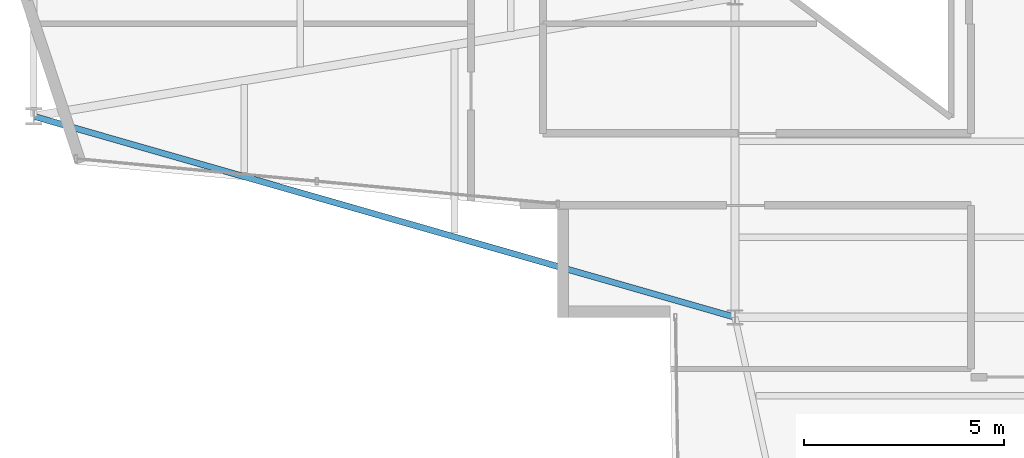
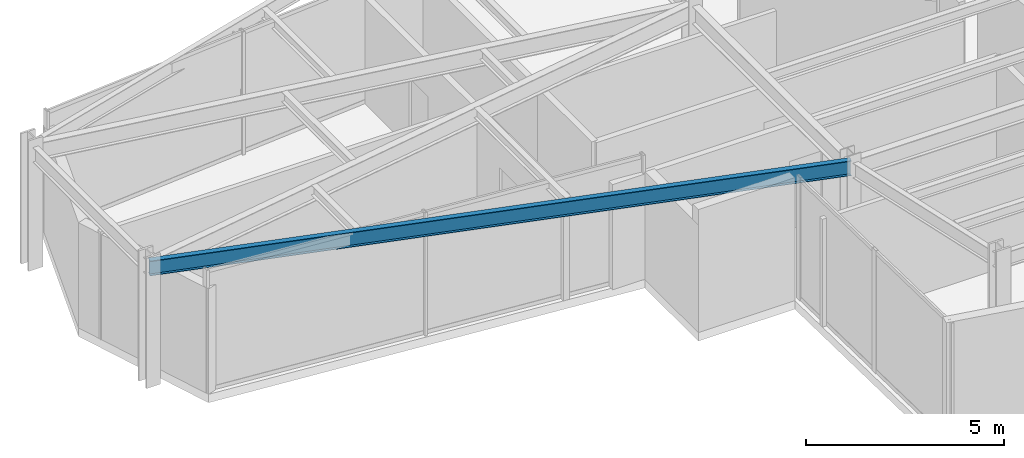
# One storey, part 3 of 22: 1 beam.
"""IFC4 building model written with IfcOpenShell, lengths in metres."""

from ifc_helpers import new_model, si_unit, direction, frame, origin, origin_2d, place, context, subcontext, project, spatial, i_section, extrude, material, material_profile, profile_set, type_object, element, save


model = new_model("IFC4")

# Units and contexts
model_context = context("Model", 3, precision=1e-05, world=origin(), true_north=direction((0.0, 1.0)))
body_context = subcontext(model_context, "Body", "Model", "MODEL_VIEW")
ifc_project = project(units=[si_unit("LENGTHUNIT", "METRE"), si_unit("AREAUNIT", "SQUARE_METRE"), si_unit("VOLUMEUNIT", "CUBIC_METRE"), si_unit("PLANEANGLEUNIT", "RADIAN"), si_unit("MASSUNIT", "GRAM", prefix="KILO")], contexts=[model_context])

# Site, building, storey
site_placement = place(None, origin())
site = spatial("IfcSite", under=ifc_project, at=site_placement, CompositionType="ELEMENT")
building_placement = place(site_placement, origin())
building = spatial("IfcBuilding", under=site, at=building_placement, Name="Veymaron Broadcast Tower", CompositionType="ELEMENT")
storey_placement = place(building_placement, frame((0.0, 0.0, 216.14990234375)))
storey = spatial("IfcBuildingStorey", under=building, at=storey_placement, Name="L50", CompositionType="ELEMENT", Elevation=216.14990234375)

# Beam
ifc_material = material(Name="Structural steel ASTM A992 Gr 50", Category="steel")
ifc_material_profile = material_profile(ifc_material, i_section(OverallWidth=0.154052734375, OverallDepth=0.458984375, WebThickness=0.009033203125, FlangeThickness=0.015380859375, at=origin_2d()), Name="W460X68")
ifc_profile_set = profile_set([ifc_material_profile], Name="Structural steel ASTM A992 Gr 50")
beam_type = type_object("IfcBeamType", Name="BM-SP2", PredefinedType="SPANDREL", material=ifc_profile_set)
beam_placement = place(storey_placement, frame((13.6650390625, 21.02490234375, 3.560546875), z_axis=(0.961307479344, -0.27547764003, 0.0), x_axis=(0.27547764003, 0.961307479344, 0.0)))
element("IfcBeam", 1, at=beam_placement, inside=storey, type_object=beam_type, Name="L50 primary structural floor girder", PredefinedType="SPANDREL", context=body_context, shape_type="SweptSolid", body=[
    extrude(i_section(OverallWidth=0.154052734375, OverallDepth=0.458984375, WebThickness=0.009033203125, FlangeThickness=0.015380859375, at=origin_2d()), origin(), (0.0, 0.0, 1.0), 18.24072265625),
])

save(model, "model.ifc")
